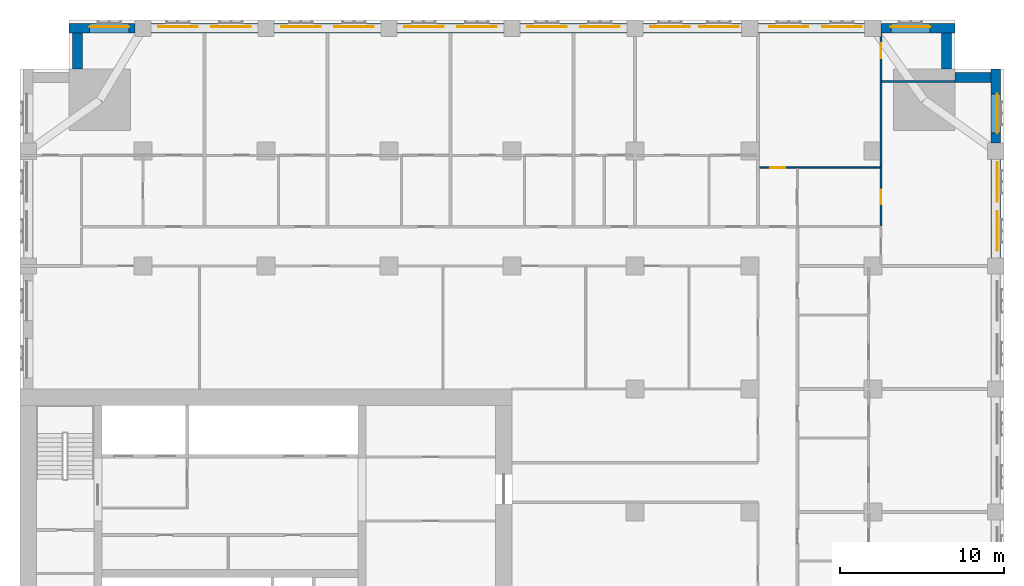
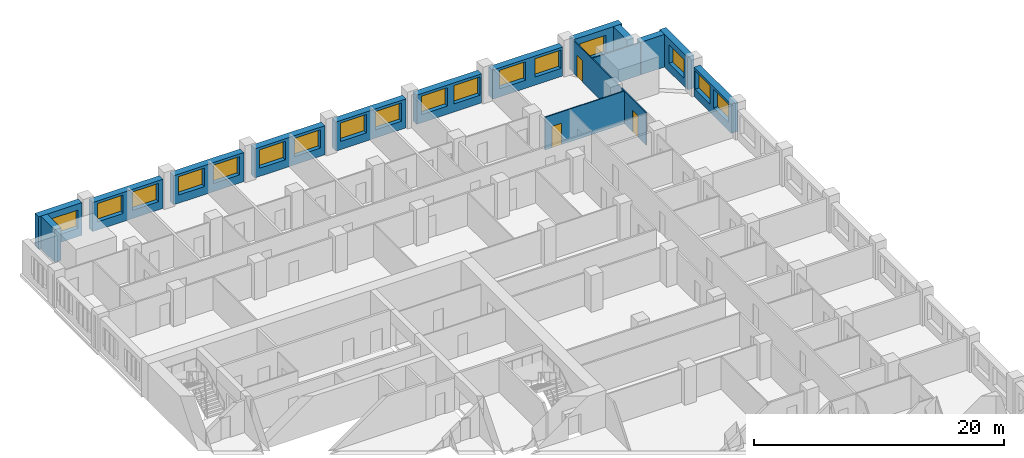
# One storey, part 11 of 14: 17 windows, 16 walls, 3 doors, 20 openings.
"""IFC4 building model written with IfcOpenShell, lengths in metres."""

from ifc_helpers import new_model, si_unit, direction, frame, frame_2d, origin, place, context, subcontext, project, spatial, rectangle, extrude, material, layer, layer_set, type_object, element, fill, save


model = new_model("IFC4")

# Units and contexts
model_context = context("Model", 3, precision=1e-05, world=origin(), true_north=direction((0.0, 1.0)))
body_context = subcontext(model_context, "Body", "Model", "MODEL_VIEW")
ifc_project = project(units=[si_unit("LENGTHUNIT", "METRE"), si_unit("AREAUNIT", "SQUARE_METRE"), si_unit("VOLUMEUNIT", "CUBIC_METRE"), si_unit("PLANEANGLEUNIT", "RADIAN"), si_unit("MASSUNIT", "GRAM", prefix="KILO")], contexts=[model_context])

# Site, building, storey
site_placement = place(None, origin())
site = spatial("IfcSite", under=ifc_project, at=site_placement, CompositionType="ELEMENT")
building_placement = place(site_placement, origin())
building = spatial("IfcBuilding", under=site, at=building_placement, Name="Tamorin Gate", CompositionType="ELEMENT")
storey_placement = place(building_placement, frame((0.0, 0.0, 115.10009765625)))
storey = spatial("IfcBuildingStorey", under=building, at=storey_placement, Name="L28", CompositionType="ELEMENT", Elevation=115.10009765625)

# Wall, openings, windows
ifc_material_1 = material(Name="Precast concrete C40/50", Category="concrete")
ifc_layer_1 = layer(ifc_material_1, 0.60009765625)
ifc_layer_set_1 = layer_set([ifc_layer_1], Name="Precast concrete C40/50")
wall_type_1 = type_object("IfcWallType", Name="Board-marked concrete facade panel 600", PredefinedType="SOLIDWALL", material=ifc_layer_set_1)
wall_1_placement = place(storey_placement, frame((89.5, 90.5, 0.0), z_axis=(0.0, 0.0, 1.0), x_axis=(0.0, 1.0, 0.0)))
wall_1 = element("IfcWall", 1, at=wall_1_placement, inside=storey, type_object=wall_type_1, Name="Facade panel", PredefinedType="SOLIDWALL", context=body_context, shape_type="SweptSolid", body=[
    extrude(rectangle(XDim=6.0, YDim=0.60009765625, at=frame_2d((3.0, 0.0))), origin(), (0.0, 0.0, 1.0), 2.849853515625),
])
opening_1_placement = place(wall_1_placement, frame((0.425048828125, 0.0, 0.800048828125)))
opening_1 = element("IfcOpeningElement", 2, at=opening_1_placement, cuts=wall_1, Name="Opening WN1", PredefinedType="OPENING", context=body_context, shape_type="SweptSolid", body=[
    extrude(rectangle(XDim=2.39990234375, YDim=1.800048828125, at=frame_2d((1.199951171875, 0.89990234375))), frame((0.0, 0.31005859375, 0.0), z_axis=(0.0, -1.0, 0.0), x_axis=(1.0, 0.0, 0.0)), (0.0, 0.0, 1.0), 0.6201171875),
])
opening_2_placement = place(wall_1_placement, frame((3.425048828125, 0.0, 0.800048828125)))
opening_2 = element("IfcOpeningElement", 3, at=opening_2_placement, cuts=wall_1, Name="Opening WN1", PredefinedType="OPENING", context=body_context, shape_type="SweptSolid", body=[
    extrude(rectangle(XDim=2.39990234375, YDim=1.800048828125, at=frame_2d((1.199951171875, 0.89990234375))), frame((0.0, 0.31005859375, 0.0), z_axis=(0.0, -1.0, 0.0), x_axis=(1.0, 0.0, 0.0)), (0.0, 0.0, 1.0), 0.6201171875),
])
ifc_material_2 = material(Name="Clear glass in aluminium frame", Category="aluminium")
window_type = type_object("IfcWindowType", Name="Deep-set window 2400x1800", PartitioningType="SINGLE_PANEL", PredefinedType="WINDOW", material=ifc_material_2)
window_1_placement = place(opening_1_placement, origin())
window_1 = element("IfcWindow", 4, at=window_1_placement, inside=storey, type_object=window_type, Name="Deep-set window", OverallHeight=1.800048828125, OverallWidth=2.39990234375, PartitioningType="SINGLE_PANEL", PredefinedType="WINDOW", context=body_context, shape_type="SweptSolid", body=[
    extrude(rectangle(XDim=2.39990234375, YDim=1.800048828125, at=frame_2d((1.199951171875, 0.89990234375))), frame((0.0, -0.070068359375, 0.0), z_axis=(0.0, -1.0, 0.0), x_axis=(1.0, 0.0, 0.0)), (0.0, 0.0, 1.0), 0.06005859375),
])
fill(opening_1, window_1)
window_2_placement = place(opening_2_placement, origin())
window_2 = element("IfcWindow", 5, at=window_2_placement, inside=storey, type_object=window_type, Name="Deep-set window", OverallHeight=1.800048828125, OverallWidth=2.39990234375, PartitioningType="SINGLE_PANEL", PredefinedType="WINDOW", context=body_context, shape_type="SweptSolid", body=[
    extrude(rectangle(XDim=2.39990234375, YDim=1.800048828125, at=frame_2d((1.199951171875, 0.89990234375))), frame((0.0, -0.070068359375, 0.0), z_axis=(0.0, -1.0, 0.0), x_axis=(1.0, 0.0, 0.0)), (0.0, 0.0, 1.0), 0.06005859375),
])
fill(opening_2, window_2)

# Wall, opening, window
wall_2_placement = place(storey_placement, frame((89.5, 97.5, 0.0), z_axis=(0.0, 0.0, 1.0), x_axis=(0.0, 1.0, 0.0)))
wall_2 = element("IfcWall", 6, at=wall_2_placement, inside=storey, type_object=wall_type_1, Name="Facade panel", PredefinedType="SOLIDWALL", context=body_context, shape_type="SweptSolid", body=[
    extrude(rectangle(XDim=4.5, YDim=0.60009765625, at=frame_2d((2.25, 0.0))), origin(), (0.0, 0.0, 1.0), 3.199951171875),
])
opening_3_placement = place(wall_2_placement, frame((0.60009765625, 0.0, 0.800048828125)))
opening_3 = element("IfcOpeningElement", 7, at=opening_3_placement, cuts=wall_2, Name="Opening WN1", PredefinedType="OPENING", context=body_context, shape_type="SweptSolid", body=[
    extrude(rectangle(XDim=2.39990234375, YDim=1.800048828125, at=frame_2d((1.199951171875, 0.89990234375))), frame((0.0, 0.31005859375, 0.0), z_axis=(0.0, -1.0, 0.0), x_axis=(1.0, 0.0, 0.0)), (0.0, 0.0, 1.0), 0.6201171875),
])
window_3_placement = place(opening_3_placement, origin())
window_3 = element("IfcWindow", 8, at=window_3_placement, inside=storey, type_object=window_type, Name="Deep-set window", OverallHeight=1.800048828125, OverallWidth=2.39990234375, PartitioningType="SINGLE_PANEL", PredefinedType="WINDOW", context=body_context, shape_type="SweptSolid", body=[
    extrude(rectangle(XDim=2.39990234375, YDim=1.800048828125, at=frame_2d((1.199951171875, 0.89990234375))), frame((0.0, -0.070068359375, 0.0), z_axis=(0.0, -1.0, 0.0), x_axis=(1.0, 0.0, 0.0)), (0.0, 0.0, 1.0), 0.06005859375),
])
fill(opening_3, window_3)

# Walls
for number, where, z_axis, x_axis, name in (
    (9, (89.199951171875, 101.5, 0.0), (0.0, 0.0, 1.0), (-1.0, 0.0, 0.0), "Facade panel"),
    (10, (86.5, 102.0, 0.0), (0.0, 0.0, 1.0), (0.0, 1.0, 0.0), "Facade panel"),
):
    element("IfcWall", number, at=place(storey_placement, frame(where, z_axis=z_axis, x_axis=x_axis)), inside=storey, type_object=wall_type_1, Name=name, PredefinedType="SOLIDWALL", context=body_context, shape_type="SweptSolid", body=[
        extrude(rectangle(XDim=2.199951171875, YDim=0.60009765625, at=frame_2d((1.10009765625, 0.0))), origin(), (0.0, 0.0, 1.0), 3.199951171875),
    ])

# Wall, opening, window
wall_3_placement = place(storey_placement, frame((87.0, 104.5, 0.0), z_axis=(0.0, 0.0, 1.0), x_axis=(-1.0, 0.0, 0.0)))
wall_3 = element("IfcWall", 11, at=wall_3_placement, inside=storey, type_object=wall_type_1, Name="Facade panel", PredefinedType="SOLIDWALL", context=body_context, shape_type="SweptSolid", body=[
    extrude(rectangle(XDim=4.5, YDim=0.60009765625, at=frame_2d((2.25, 0.0))), origin(), (0.0, 0.0, 1.0), 3.199951171875),
])
opening_4_placement = place(wall_3_placement, frame((1.5, 0.0, 0.800048828125)))
opening_4 = element("IfcOpeningElement", 12, at=opening_4_placement, cuts=wall_3, Name="Opening WN1", PredefinedType="OPENING", context=body_context, shape_type="SweptSolid", body=[
    extrude(rectangle(XDim=2.39990234375, YDim=1.800048828125, at=frame_2d((1.199951171875, 0.89990234375))), frame((0.0, 0.31005859375, 0.0), z_axis=(0.0, -1.0, 0.0), x_axis=(1.0, 0.0, 0.0)), (0.0, 0.0, 1.0), 0.6201171875),
])
window_4_placement = place(opening_4_placement, origin())
window_4 = element("IfcWindow", 13, at=window_4_placement, inside=storey, type_object=window_type, Name="Deep-set window", OverallHeight=1.800048828125, OverallWidth=2.39990234375, PartitioningType="SINGLE_PANEL", PredefinedType="WINDOW", context=body_context, shape_type="SweptSolid", body=[
    extrude(rectangle(XDim=2.39990234375, YDim=1.800048828125, at=frame_2d((1.199951171875, 0.89990234375))), frame((0.0, -0.070068359375, 0.0), z_axis=(0.0, -1.0, 0.0), x_axis=(1.0, 0.0, 0.0)), (0.0, 0.0, 1.0), 0.06005859375),
])
fill(opening_4, window_4)

# Wall, openings, windows
wall_4_placement = place(storey_placement, frame((81.5, 104.5, 0.0), z_axis=(0.0, 0.0, 1.0), x_axis=(-1.0, 0.0, 0.0)))
wall_4 = element("IfcWall", 14, at=wall_4_placement, inside=storey, type_object=wall_type_1, Name="Facade panel", PredefinedType="SOLIDWALL", context=body_context, shape_type="SweptSolid", body=[
    extrude(rectangle(XDim=6.5, YDim=0.60009765625, at=frame_2d((3.25, 0.0))), origin(), (0.0, 0.0, 1.0), 2.849853515625),
])
opening_5_placement = place(wall_4_placement, frame((3.425048828125, 0.0, 0.800048828125)))
opening_5 = element("IfcOpeningElement", 15, at=opening_5_placement, cuts=wall_4, Name="Opening WN1", PredefinedType="OPENING", context=body_context, shape_type="SweptSolid", body=[
    extrude(rectangle(XDim=2.39990234375, YDim=1.800048828125, at=frame_2d((1.199951171875, 0.89990234375))), frame((0.0, 0.31005859375, 0.0), z_axis=(0.0, -1.0, 0.0), x_axis=(1.0, 0.0, 0.0)), (0.0, 0.0, 1.0), 0.6201171875),
])
opening_6_placement = place(wall_4_placement, frame((0.175048828125, 0.0, 0.800048828125)))
opening_6 = element("IfcOpeningElement", 16, at=opening_6_placement, cuts=wall_4, Name="Opening WN1", PredefinedType="OPENING", context=body_context, shape_type="SweptSolid", body=[
    extrude(rectangle(XDim=2.39990234375, YDim=1.800048828125, at=frame_2d((1.199951171875, 0.89990234375))), frame((0.0, 0.31005859375, 0.0), z_axis=(0.0, -1.0, 0.0), x_axis=(1.0, 0.0, 0.0)), (0.0, 0.0, 1.0), 0.6201171875),
])
window_5_placement = place(opening_5_placement, origin())
window_5 = element("IfcWindow", 17, at=window_5_placement, inside=storey, type_object=window_type, Name="Deep-set window", OverallHeight=1.800048828125, OverallWidth=2.39990234375, PartitioningType="SINGLE_PANEL", PredefinedType="WINDOW", context=body_context, shape_type="SweptSolid", body=[
    extrude(rectangle(XDim=2.39990234375, YDim=1.800048828125, at=frame_2d((1.199951171875, 0.89990234375))), frame((0.0, -0.070068359375, 0.0), z_axis=(0.0, -1.0, 0.0), x_axis=(1.0, 0.0, 0.0)), (0.0, 0.0, 1.0), 0.06005859375),
])
fill(opening_5, window_5)
window_6_placement = place(opening_6_placement, origin())
window_6 = element("IfcWindow", 18, at=window_6_placement, inside=storey, type_object=window_type, Name="Deep-set window", OverallHeight=1.800048828125, OverallWidth=2.39990234375, PartitioningType="SINGLE_PANEL", PredefinedType="WINDOW", context=body_context, shape_type="SweptSolid", body=[
    extrude(rectangle(XDim=2.39990234375, YDim=1.800048828125, at=frame_2d((1.199951171875, 0.89990234375))), frame((0.0, -0.070068359375, 0.0), z_axis=(0.0, -1.0, 0.0), x_axis=(1.0, 0.0, 0.0)), (0.0, 0.0, 1.0), 0.06005859375),
])
fill(opening_6, window_6)

wall_5_placement = place(storey_placement, frame((74.0, 104.5, 0.0), z_axis=(0.0, 0.0, 1.0), x_axis=(-1.0, 0.0, 0.0)))
wall_5 = element("IfcWall", 19, at=wall_5_placement, inside=storey, type_object=wall_type_1, Name="Facade panel", PredefinedType="SOLIDWALL", context=body_context, shape_type="SweptSolid", body=[
    extrude(rectangle(XDim=6.0, YDim=0.60009765625, at=frame_2d((3.0, 0.0))), origin(), (0.0, 0.0, 1.0), 2.849853515625),
])
opening_7_placement = place(wall_5_placement, frame((3.175048828125, 0.0, 0.800048828125)))
opening_7 = element("IfcOpeningElement", 20, at=opening_7_placement, cuts=wall_5, Name="Opening WN1", PredefinedType="OPENING", context=body_context, shape_type="SweptSolid", body=[
    extrude(rectangle(XDim=2.39990234375, YDim=1.800048828125, at=frame_2d((1.199951171875, 0.89990234375))), frame((0.0, 0.31005859375, 0.0), z_axis=(0.0, -1.0, 0.0), x_axis=(1.0, 0.0, 0.0)), (0.0, 0.0, 1.0), 0.6201171875),
])
opening_8_placement = place(wall_5_placement, frame((0.175048828125, 0.0, 0.800048828125)))
opening_8 = element("IfcOpeningElement", 21, at=opening_8_placement, cuts=wall_5, Name="Opening WN1", PredefinedType="OPENING", context=body_context, shape_type="SweptSolid", body=[
    extrude(rectangle(XDim=2.39990234375, YDim=1.800048828125, at=frame_2d((1.199951171875, 0.89990234375))), frame((0.0, 0.31005859375, 0.0), z_axis=(0.0, -1.0, 0.0), x_axis=(1.0, 0.0, 0.0)), (0.0, 0.0, 1.0), 0.6201171875),
])
window_7_placement = place(opening_7_placement, origin())
window_7 = element("IfcWindow", 22, at=window_7_placement, inside=storey, type_object=window_type, Name="Deep-set window", OverallHeight=1.800048828125, OverallWidth=2.39990234375, PartitioningType="SINGLE_PANEL", PredefinedType="WINDOW", context=body_context, shape_type="SweptSolid", body=[
    extrude(rectangle(XDim=2.39990234375, YDim=1.800048828125, at=frame_2d((1.199951171875, 0.89990234375))), frame((0.0, -0.070068359375, 0.0), z_axis=(0.0, -1.0, 0.0), x_axis=(1.0, 0.0, 0.0)), (0.0, 0.0, 1.0), 0.06005859375),
])
fill(opening_7, window_7)
window_8_placement = place(opening_8_placement, origin())
window_8 = element("IfcWindow", 23, at=window_8_placement, inside=storey, type_object=window_type, Name="Deep-set window", OverallHeight=1.800048828125, OverallWidth=2.39990234375, PartitioningType="SINGLE_PANEL", PredefinedType="WINDOW", context=body_context, shape_type="SweptSolid", body=[
    extrude(rectangle(XDim=2.39990234375, YDim=1.800048828125, at=frame_2d((1.199951171875, 0.89990234375))), frame((0.0, -0.070068359375, 0.0), z_axis=(0.0, -1.0, 0.0), x_axis=(1.0, 0.0, 0.0)), (0.0, 0.0, 1.0), 0.06005859375),
])
fill(opening_8, window_8)

wall_6_placement = place(storey_placement, frame((67.0, 104.5, 0.0), z_axis=(0.0, 0.0, 1.0), x_axis=(-1.0, 0.0, 0.0)))
wall_6 = element("IfcWall", 24, at=wall_6_placement, inside=storey, type_object=wall_type_1, Name="Facade panel", PredefinedType="SOLIDWALL", context=body_context, shape_type="SweptSolid", body=[
    extrude(rectangle(XDim=6.5, YDim=0.60009765625, at=frame_2d((3.25, 0.0))), origin(), (0.0, 0.0, 1.0), 2.849853515625),
])
opening_9_placement = place(wall_6_placement, frame((3.675048828125, 0.0, 0.800048828125)))
opening_9 = element("IfcOpeningElement", 25, at=opening_9_placement, cuts=wall_6, Name="Opening WN1", PredefinedType="OPENING", context=body_context, shape_type="SweptSolid", body=[
    extrude(rectangle(XDim=2.39990234375, YDim=1.800048828125, at=frame_2d((1.199951171875, 0.89990234375))), frame((0.0, 0.31005859375, 0.0), z_axis=(0.0, -1.0, 0.0), x_axis=(1.0, 0.0, 0.0)), (0.0, 0.0, 1.0), 0.6201171875),
])
opening_10_placement = place(wall_6_placement, frame((0.425048828125, 0.0, 0.800048828125)))
opening_10 = element("IfcOpeningElement", 26, at=opening_10_placement, cuts=wall_6, Name="Opening WN1", PredefinedType="OPENING", context=body_context, shape_type="SweptSolid", body=[
    extrude(rectangle(XDim=2.39990234375, YDim=1.800048828125, at=frame_2d((1.199951171875, 0.89990234375))), frame((0.0, 0.31005859375, 0.0), z_axis=(0.0, -1.0, 0.0), x_axis=(1.0, 0.0, 0.0)), (0.0, 0.0, 1.0), 0.6201171875),
])
window_9_placement = place(opening_9_placement, origin())
window_9 = element("IfcWindow", 27, at=window_9_placement, inside=storey, type_object=window_type, Name="Deep-set window", OverallHeight=1.800048828125, OverallWidth=2.39990234375, PartitioningType="SINGLE_PANEL", PredefinedType="WINDOW", context=body_context, shape_type="SweptSolid", body=[
    extrude(rectangle(XDim=2.39990234375, YDim=1.800048828125, at=frame_2d((1.199951171875, 0.89990234375))), frame((0.0, -0.070068359375, 0.0), z_axis=(0.0, -1.0, 0.0), x_axis=(1.0, 0.0, 0.0)), (0.0, 0.0, 1.0), 0.06005859375),
])
fill(opening_9, window_9)
window_10_placement = place(opening_10_placement, origin())
window_10 = element("IfcWindow", 28, at=window_10_placement, inside=storey, type_object=window_type, Name="Deep-set window", OverallHeight=1.800048828125, OverallWidth=2.39990234375, PartitioningType="SINGLE_PANEL", PredefinedType="WINDOW", context=body_context, shape_type="SweptSolid", body=[
    extrude(rectangle(XDim=2.39990234375, YDim=1.800048828125, at=frame_2d((1.199951171875, 0.89990234375))), frame((0.0, -0.070068359375, 0.0), z_axis=(0.0, -1.0, 0.0), x_axis=(1.0, 0.0, 0.0)), (0.0, 0.0, 1.0), 0.06005859375),
])
fill(opening_10, window_10)

wall_7_placement = place(storey_placement, frame((59.5, 104.5, 0.0), z_axis=(0.0, 0.0, 1.0), x_axis=(-1.0, 0.0, 0.0)))
wall_7 = element("IfcWall", 29, at=wall_7_placement, inside=storey, type_object=wall_type_1, Name="Facade panel", PredefinedType="SOLIDWALL", context=body_context, shape_type="SweptSolid", body=[
    extrude(rectangle(XDim=6.5, YDim=0.60009765625, at=frame_2d((3.25, 0.0))), origin(), (0.0, 0.0, 1.0), 2.849853515625),
])
opening_11_placement = place(wall_7_placement, frame((3.675048828125, 0.0, 0.800048828125)))
opening_11 = element("IfcOpeningElement", 30, at=opening_11_placement, cuts=wall_7, Name="Opening WN1", PredefinedType="OPENING", context=body_context, shape_type="SweptSolid", body=[
    extrude(rectangle(XDim=2.39990234375, YDim=1.800048828125, at=frame_2d((1.199951171875, 0.89990234375))), frame((0.0, 0.31005859375, 0.0), z_axis=(0.0, -1.0, 0.0), x_axis=(1.0, 0.0, 0.0)), (0.0, 0.0, 1.0), 0.6201171875),
])
opening_12_placement = place(wall_7_placement, frame((0.425048828125, 0.0, 0.800048828125)))
opening_12 = element("IfcOpeningElement", 31, at=opening_12_placement, cuts=wall_7, Name="Opening WN1", PredefinedType="OPENING", context=body_context, shape_type="SweptSolid", body=[
    extrude(rectangle(XDim=2.39990234375, YDim=1.800048828125, at=frame_2d((1.199951171875, 0.89990234375))), frame((0.0, 0.31005859375, 0.0), z_axis=(0.0, -1.0, 0.0), x_axis=(1.0, 0.0, 0.0)), (0.0, 0.0, 1.0), 0.6201171875),
])
window_11_placement = place(opening_11_placement, origin())
window_11 = element("IfcWindow", 32, at=window_11_placement, inside=storey, type_object=window_type, Name="Deep-set window", OverallHeight=1.800048828125, OverallWidth=2.39990234375, PartitioningType="SINGLE_PANEL", PredefinedType="WINDOW", context=body_context, shape_type="SweptSolid", body=[
    extrude(rectangle(XDim=2.39990234375, YDim=1.800048828125, at=frame_2d((1.199951171875, 0.89990234375))), frame((0.0, -0.070068359375, 0.0), z_axis=(0.0, -1.0, 0.0), x_axis=(1.0, 0.0, 0.0)), (0.0, 0.0, 1.0), 0.06005859375),
])
fill(opening_11, window_11)
window_12_placement = place(opening_12_placement, origin())
window_12 = element("IfcWindow", 33, at=window_12_placement, inside=storey, type_object=window_type, Name="Deep-set window", OverallHeight=1.800048828125, OverallWidth=2.39990234375, PartitioningType="SINGLE_PANEL", PredefinedType="WINDOW", context=body_context, shape_type="SweptSolid", body=[
    extrude(rectangle(XDim=2.39990234375, YDim=1.800048828125, at=frame_2d((1.199951171875, 0.89990234375))), frame((0.0, -0.070068359375, 0.0), z_axis=(0.0, -1.0, 0.0), x_axis=(1.0, 0.0, 0.0)), (0.0, 0.0, 1.0), 0.06005859375),
])
fill(opening_12, window_12)

wall_8_placement = place(storey_placement, frame((52.0, 104.5, 0.0), z_axis=(0.0, 0.0, 1.0), x_axis=(-1.0, 0.0, 0.0)))
wall_8 = element("IfcWall", 34, at=wall_8_placement, inside=storey, type_object=wall_type_1, Name="Facade panel", PredefinedType="SOLIDWALL", context=body_context, shape_type="SweptSolid", body=[
    extrude(rectangle(XDim=6.5, YDim=0.60009765625, at=frame_2d((3.25, 0.0))), origin(), (0.0, 0.0, 1.0), 2.849853515625),
])
opening_13_placement = place(wall_8_placement, frame((3.675048828125, 0.0, 0.800048828125)))
opening_13 = element("IfcOpeningElement", 35, at=opening_13_placement, cuts=wall_8, Name="Opening WN1", PredefinedType="OPENING", context=body_context, shape_type="SweptSolid", body=[
    extrude(rectangle(XDim=2.39990234375, YDim=1.800048828125, at=frame_2d((1.199951171875, 0.89990234375))), frame((0.0, 0.31005859375, 0.0), z_axis=(0.0, -1.0, 0.0), x_axis=(1.0, 0.0, 0.0)), (0.0, 0.0, 1.0), 0.6201171875),
])
opening_14_placement = place(wall_8_placement, frame((0.425048828125, 0.0, 0.800048828125)))
opening_14 = element("IfcOpeningElement", 36, at=opening_14_placement, cuts=wall_8, Name="Opening WN1", PredefinedType="OPENING", context=body_context, shape_type="SweptSolid", body=[
    extrude(rectangle(XDim=2.39990234375, YDim=1.800048828125, at=frame_2d((1.199951171875, 0.89990234375))), frame((0.0, 0.31005859375, 0.0), z_axis=(0.0, -1.0, 0.0), x_axis=(1.0, 0.0, 0.0)), (0.0, 0.0, 1.0), 0.6201171875),
])
window_13_placement = place(opening_13_placement, origin())
window_13 = element("IfcWindow", 37, at=window_13_placement, inside=storey, type_object=window_type, Name="Deep-set window", OverallHeight=1.800048828125, OverallWidth=2.39990234375, PartitioningType="SINGLE_PANEL", PredefinedType="WINDOW", context=body_context, shape_type="SweptSolid", body=[
    extrude(rectangle(XDim=2.39990234375, YDim=1.800048828125, at=frame_2d((1.199951171875, 0.89990234375))), frame((0.0, -0.070068359375, 0.0), z_axis=(0.0, -1.0, 0.0), x_axis=(1.0, 0.0, 0.0)), (0.0, 0.0, 1.0), 0.06005859375),
])
fill(opening_13, window_13)
window_14_placement = place(opening_14_placement, origin())
window_14 = element("IfcWindow", 38, at=window_14_placement, inside=storey, type_object=window_type, Name="Deep-set window", OverallHeight=1.800048828125, OverallWidth=2.39990234375, PartitioningType="SINGLE_PANEL", PredefinedType="WINDOW", context=body_context, shape_type="SweptSolid", body=[
    extrude(rectangle(XDim=2.39990234375, YDim=1.800048828125, at=frame_2d((1.199951171875, 0.89990234375))), frame((0.0, -0.070068359375, 0.0), z_axis=(0.0, -1.0, 0.0), x_axis=(1.0, 0.0, 0.0)), (0.0, 0.0, 1.0), 0.06005859375),
])
fill(opening_14, window_14)

wall_9_placement = place(storey_placement, frame((44.5, 104.5, 0.0), z_axis=(0.0, 0.0, 1.0), x_axis=(-1.0, 0.0, 0.0)))
wall_9 = element("IfcWall", 39, at=wall_9_placement, inside=storey, type_object=wall_type_1, Name="Facade panel", PredefinedType="SOLIDWALL", context=body_context, shape_type="SweptSolid", body=[
    extrude(rectangle(XDim=6.5, YDim=0.60009765625, at=frame_2d((3.25, 0.0))), origin(), (0.0, 0.0, 1.0), 2.849853515625),
])
opening_15_placement = place(wall_9_placement, frame((3.675048828125, 0.0, 0.800048828125)))
opening_15 = element("IfcOpeningElement", 40, at=opening_15_placement, cuts=wall_9, Name="Opening WN1", PredefinedType="OPENING", context=body_context, shape_type="SweptSolid", body=[
    extrude(rectangle(XDim=2.39990234375, YDim=1.800048828125, at=frame_2d((1.199951171875, 0.89990234375))), frame((0.0, 0.31005859375, 0.0), z_axis=(0.0, -1.0, 0.0), x_axis=(1.0, 0.0, 0.0)), (0.0, 0.0, 1.0), 0.6201171875),
])
opening_16_placement = place(wall_9_placement, frame((0.425048828125, 0.0, 0.800048828125)))
opening_16 = element("IfcOpeningElement", 41, at=opening_16_placement, cuts=wall_9, Name="Opening WN1", PredefinedType="OPENING", context=body_context, shape_type="SweptSolid", body=[
    extrude(rectangle(XDim=2.39990234375, YDim=1.800048828125, at=frame_2d((1.199951171875, 0.89990234375))), frame((0.0, 0.31005859375, 0.0), z_axis=(0.0, -1.0, 0.0), x_axis=(1.0, 0.0, 0.0)), (0.0, 0.0, 1.0), 0.6201171875),
])
window_15_placement = place(opening_15_placement, origin())
window_15 = element("IfcWindow", 42, at=window_15_placement, inside=storey, type_object=window_type, Name="Deep-set window", OverallHeight=1.800048828125, OverallWidth=2.39990234375, PartitioningType="SINGLE_PANEL", PredefinedType="WINDOW", context=body_context, shape_type="SweptSolid", body=[
    extrude(rectangle(XDim=2.39990234375, YDim=1.800048828125, at=frame_2d((1.199951171875, 0.89990234375))), frame((0.0, -0.070068359375, 0.0), z_axis=(0.0, -1.0, 0.0), x_axis=(1.0, 0.0, 0.0)), (0.0, 0.0, 1.0), 0.06005859375),
])
fill(opening_15, window_15)
window_16_placement = place(opening_16_placement, origin())
window_16 = element("IfcWindow", 43, at=window_16_placement, inside=storey, type_object=window_type, Name="Deep-set window", OverallHeight=1.800048828125, OverallWidth=2.39990234375, PartitioningType="SINGLE_PANEL", PredefinedType="WINDOW", context=body_context, shape_type="SweptSolid", body=[
    extrude(rectangle(XDim=2.39990234375, YDim=1.800048828125, at=frame_2d((1.199951171875, 0.89990234375))), frame((0.0, -0.070068359375, 0.0), z_axis=(0.0, -1.0, 0.0), x_axis=(1.0, 0.0, 0.0)), (0.0, 0.0, 1.0), 0.06005859375),
])
fill(opening_16, window_16)

# Wall, opening, window
wall_10_placement = place(storey_placement, frame((37.0, 104.5, 0.0), z_axis=(0.0, 0.0, 1.0), x_axis=(-1.0, 0.0, 0.0)))
wall_10 = element("IfcWall", 44, at=wall_10_placement, inside=storey, type_object=wall_type_1, Name="Facade panel", PredefinedType="SOLIDWALL", context=body_context, shape_type="SweptSolid", body=[
    extrude(rectangle(XDim=4.0, YDim=0.60009765625, at=frame_2d((2.0, 0.0))), origin(), (0.0, 0.0, 1.0), 3.199951171875),
])
opening_17_placement = place(wall_10_placement, frame((0.35009765625, 0.0, 0.800048828125)))
opening_17 = element("IfcOpeningElement", 45, at=opening_17_placement, cuts=wall_10, Name="Opening WN1", PredefinedType="OPENING", context=body_context, shape_type="SweptSolid", body=[
    extrude(rectangle(XDim=2.39990234375, YDim=1.800048828125, at=frame_2d((1.199951171875, 0.89990234375))), frame((0.0, 0.31005859375, 0.0), z_axis=(0.0, -1.0, 0.0), x_axis=(1.0, 0.0, 0.0)), (0.0, 0.0, 1.0), 0.6201171875),
])
window_17_placement = place(opening_17_placement, origin())
window_17 = element("IfcWindow", 46, at=window_17_placement, inside=storey, type_object=window_type, Name="Deep-set window", OverallHeight=1.800048828125, OverallWidth=2.39990234375, PartitioningType="SINGLE_PANEL", PredefinedType="WINDOW", context=body_context, shape_type="SweptSolid", body=[
    extrude(rectangle(XDim=2.39990234375, YDim=1.800048828125, at=frame_2d((1.199951171875, 0.89990234375))), frame((0.0, -0.070068359375, 0.0), z_axis=(0.0, -1.0, 0.0), x_axis=(1.0, 0.0, 0.0)), (0.0, 0.0, 1.0), 0.06005859375),
])
fill(opening_17, window_17)

# Wall
wall_11_placement = place(storey_placement, frame((33.5, 104.199951171875, 0.0), z_axis=(0.0, 0.0, 1.0), x_axis=(0.0, -1.0, 0.0)))
element("IfcWall", 47, at=wall_11_placement, inside=storey, type_object=wall_type_1, Name="Facade panel", PredefinedType="SOLIDWALL", context=body_context, shape_type="SweptSolid", body=[
    extrude(rectangle(XDim=2.199951171875, YDim=0.60009765625, at=frame_2d((1.10009765625, 0.0))), origin(), (0.0, 0.0, 1.0), 3.199951171875),
])

# Wall, opening, door
ifc_material_3 = material(Name="Gypsum board partition")
ifc_layer_2 = layer(ifc_material_3, 0.10009765625)
ifc_layer_set_2 = layer_set([ifc_layer_2], Name="Room partition 100")
wall_type_2 = type_object("IfcWallType", Name="Room partition 100", PredefinedType="PARTITIONING", material=ifc_layer_set_2)
wall_12_placement = place(storey_placement, frame((75.10009765625, 96.0, 0.0), z_axis=(0.0, 0.0, 1.0), x_axis=(1.0, 0.0, 0.0)))
wall_12 = element("IfcWall", 48, at=wall_12_placement, inside=storey, type_object=wall_type_2, Name="Room partition 100", PredefinedType="PARTITIONING", context=body_context, shape_type="SweptSolid", body=[
    extrude(rectangle(XDim=7.349853515625, YDim=0.10009765625, at=frame_2d((3.6748046875, 0.0))), origin(), (0.0, 0.0, 1.0), 3.199951171875),
])
opening_18_placement = place(wall_12_placement, frame((0.64990234375, 0.0, 0.0)))
opening_18 = element("IfcOpeningElement", 49, at=opening_18_placement, cuts=wall_12, Name="Opening DH7061", PredefinedType="OPENING", context=body_context, shape_type="SweptSolid", body=[
    extrude(rectangle(XDim=0.89990234375, YDim=2.10009765625, at=frame_2d((0.449951171875, 1.050048828125))), frame((0.0, 0.06005859375, 0.0), z_axis=(0.0, -1.0, 0.0), x_axis=(1.0, 0.0, 0.0)), (0.0, 0.0, 1.0), 0.1201171875),
])
ifc_material_4 = material(Name="Timber door leaf", Category="wood")
door_type = type_object("IfcDoorType", Name="Door 900 x 2100", OperationType="NOTDEFINED", PredefinedType="DOOR", material=ifc_material_4)
door_1_placement = place(opening_18_placement, origin())
door_1 = element("IfcDoor", 50, at=door_1_placement, inside=storey, type_object=door_type, Name="Door DH7061", OperationType="SINGLE_SWING_LEFT", OverallHeight=2.10009765625, OverallWidth=0.89990234375, PredefinedType="DOOR", context=body_context, shape_type="SweptSolid", body=[
    extrude(rectangle(XDim=0.89990234375, YDim=2.10009765625, at=frame_2d((0.449951171875, 1.050048828125))), frame((0.0, 0.02490234375, 0.0), z_axis=(0.0, -1.0, 0.0), x_axis=(1.0, 0.0, 0.0)), (0.0, 0.0, 1.0), 0.050048828125),
])
fill(opening_18, door_1)

# Wall
wall_13_placement = place(storey_placement, frame((82.550048828125, 101.25, 0.0), z_axis=(0.0, 0.0, 1.0), x_axis=(1.0, 0.0, 0.0)))
element("IfcWall", 51, at=wall_13_placement, inside=storey, type_object=wall_type_2, Name="Room partition 100", PredefinedType="PARTITIONING", context=body_context, shape_type="SweptSolid", body=[
    extrude(rectangle(XDim=4.43994140625, YDim=0.10009765625, at=frame_2d((2.219970703125, 0.0))), origin(), (0.0, 0.0, 1.0), 3.199951171875),
])

# Wall, openings, doors
wall_14_placement = place(storey_placement, frame((82.5, 92.46240234375, 0.0), z_axis=(0.0, 0.0, 1.0), x_axis=(0.0, 1.0, 0.0)))
wall_14 = element("IfcWall", 52, at=wall_14_placement, inside=storey, type_object=wall_type_2, Name="Room partition 100", PredefinedType="PARTITIONING", context=body_context, shape_type="SweptSolid", body=[
    extrude(rectangle(XDim=11.7275390625, YDim=0.10009765625, at=frame_2d((5.86376953125, 0.0))), origin(), (0.0, 0.0, 1.0), 3.199951171875),
])
opening_19_placement = place(wall_14_placement, frame((10.21240234375, 0.0, 0.0)))
opening_19 = element("IfcOpeningElement", 53, at=opening_19_placement, cuts=wall_14, Name="Opening DH7063", PredefinedType="OPENING", context=body_context, shape_type="SweptSolid", body=[
    extrude(rectangle(XDim=0.89990234375, YDim=2.10009765625, at=frame_2d((0.449951171875, 1.050048828125))), frame((0.0, 0.06005859375, 0.0), z_axis=(0.0, -1.0, 0.0), x_axis=(1.0, 0.0, 0.0)), (0.0, 0.0, 1.0), 0.1201171875),
])
opening_20_placement = place(wall_14_placement, frame((1.28759765625, 0.0, 0.0)))
opening_20 = element("IfcOpeningElement", 54, at=opening_20_placement, cuts=wall_14, Name="Opening DH7064", PredefinedType="OPENING", context=body_context, shape_type="SweptSolid", body=[
    extrude(rectangle(XDim=0.89990234375, YDim=2.10009765625, at=frame_2d((0.449951171875, 1.050048828125))), frame((0.0, 0.06005859375, 0.0), z_axis=(0.0, -1.0, 0.0), x_axis=(1.0, 0.0, 0.0)), (0.0, 0.0, 1.0), 0.1201171875),
])
door_2_placement = place(opening_19_placement, origin())
door_2 = element("IfcDoor", 55, at=door_2_placement, inside=storey, type_object=door_type, Name="Door DH7063", OperationType="SINGLE_SWING_LEFT", OverallHeight=2.10009765625, OverallWidth=0.89990234375, PredefinedType="DOOR", context=body_context, shape_type="SweptSolid", body=[
    extrude(rectangle(XDim=0.89990234375, YDim=2.10009765625, at=frame_2d((0.449951171875, 1.050048828125))), frame((0.0, 0.02490234375, 0.0), z_axis=(0.0, -1.0, 0.0), x_axis=(1.0, 0.0, 0.0)), (0.0, 0.0, 1.0), 0.050048828125),
])
fill(opening_19, door_2)
door_3_placement = place(opening_20_placement, origin())
door_3 = element("IfcDoor", 56, at=door_3_placement, inside=storey, type_object=door_type, Name="Door DH7064", OperationType="SINGLE_SWING_RIGHT", OverallHeight=2.10009765625, OverallWidth=0.89990234375, PredefinedType="DOOR", context=body_context, shape_type="SweptSolid", body=[
    extrude(rectangle(XDim=0.89990234375, YDim=2.10009765625, at=frame_2d((0.449951171875, 1.050048828125))), frame((0.0, 0.02490234375, 0.0), z_axis=(0.0, -1.0, 0.0), x_axis=(1.0, 0.0, 0.0)), (0.0, 0.0, 1.0), 0.050048828125),
])
fill(opening_20, door_3)

save(model, "model.ifc")
